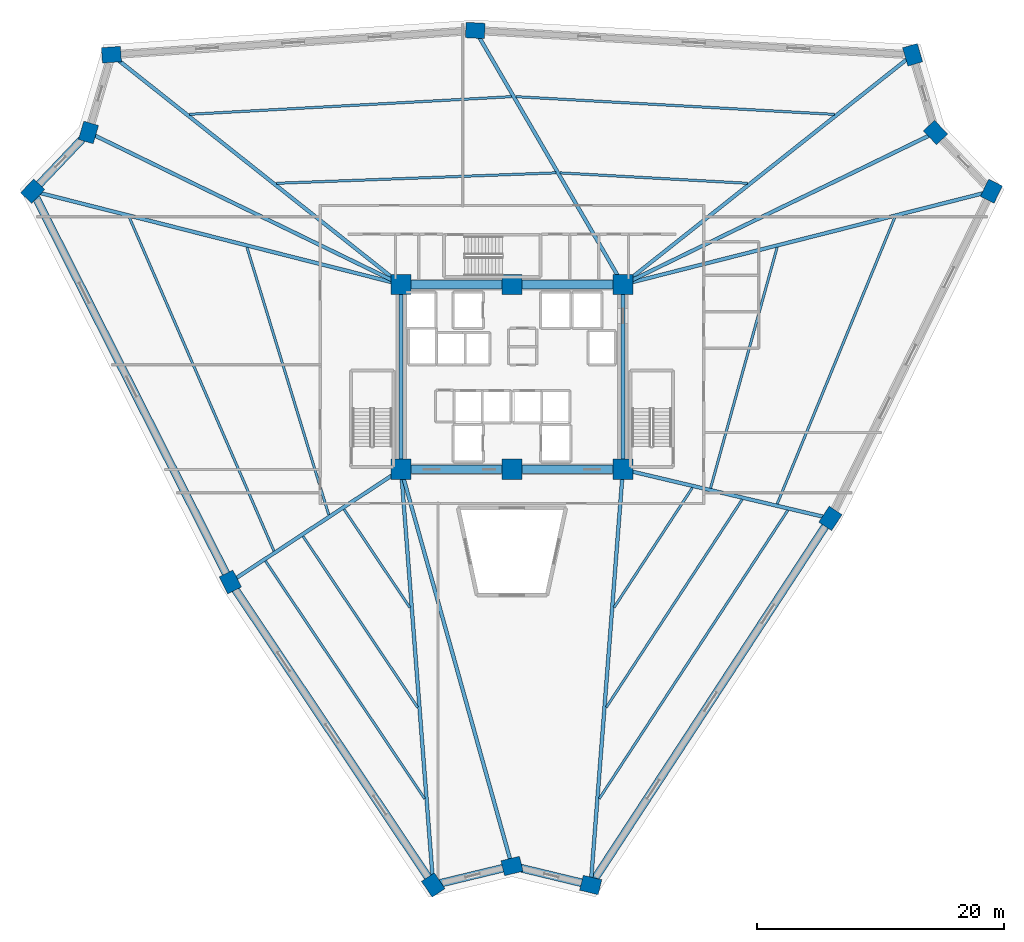
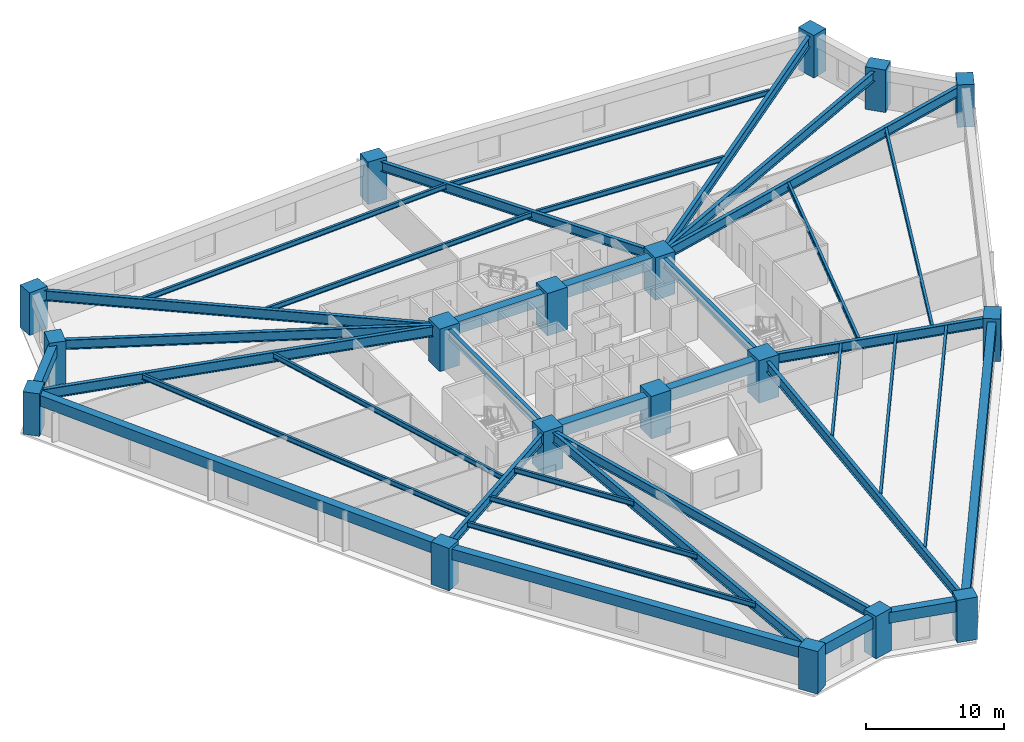
# One storey, part 1 of 8: 38 beams, 18 columns.
"""IFC4 building model written with IfcOpenShell, lengths in metres."""

from ifc_helpers import new_model, si_unit, direction, frame, origin, origin_2d, place, context, subcontext, project, spatial, rectangle, i_section, extrude, source, transform, mapped, material, material_profile, profile_set, type_object, element, save


model = new_model("IFC4")

# Units and contexts
model_context = context("Model", 3, precision=1e-05, world=origin(), true_north=direction((0.0, 1.0)))
body_context = subcontext(model_context, "Body", "Model", "MODEL_VIEW")
ifc_project = project(units=[si_unit("LENGTHUNIT", "METRE"), si_unit("AREAUNIT", "SQUARE_METRE"), si_unit("VOLUMEUNIT", "CUBIC_METRE"), si_unit("PLANEANGLEUNIT", "RADIAN"), si_unit("MASSUNIT", "GRAM", prefix="KILO")], contexts=[model_context])

# Site, building, storey
site_placement = place(None, origin())
site = spatial("IfcSite", under=ifc_project, at=site_placement, CompositionType="ELEMENT")
building_placement = place(site_placement, origin())
building = spatial("IfcBuilding", under=site, at=building_placement, Name="Liaohun Quay Tower", CompositionType="ELEMENT")
storey_placement = place(building_placement, frame((0.0, 0.0, 43.5)))
storey = spatial("IfcBuildingStorey", under=building, at=storey_placement, Name="L11", CompositionType="ELEMENT", Elevation=43.5)

# Columns
ifc_material_1 = material(Name="Concrete C60", Category="concrete")
ifc_material_profile_1 = material_profile(ifc_material_1, rectangle(XDim=1.64990234375, YDim=1.64990234375, at=origin_2d()), Name="RC1650x1650")
ifc_profile_set_1 = profile_set([ifc_material_profile_1], Name="Concrete C60")
column_type_1 = type_object("IfcColumnType", Name="COL-CC-Z1", PredefinedType="COLUMN", material=ifc_profile_set_1)
shared_shape_1 = source(origin(), body_context, "Body", "SweptSolid", [
    extrude(rectangle(XDim=1.64990234375, YDim=1.64990234375, at=origin_2d()), origin(), (0.0, 0.0, 1.0), 3.75),
])
for number, where, z_axis, x_axis, name in (
    (1, (51.0, 46.5, 0.0), (0.0, 0.0, 1.0), (1.0, 0.0, 0.0), "L11 Core Column CC1"),
    (2, (60.0, 46.5, 0.0), (0.0, 0.0, 1.0), (1.0, 0.0, 0.0), "L11 Core Column CC2"),
    (3, (69.0, 46.5, 0.0), (0.0, 0.0, 1.0), (1.0, 0.0, 0.0), "L11 Core Column CC3"),
    (4, (69.0, 61.5, 0.0), (0.0, 0.0, 1.0), (1.0, 0.0, 0.0), "L11 Core Column CC4"),
    (5, (60.0, 61.5, 0.0), (0.0, 0.0, 1.0), (1.0, 0.0, 0.0), "L11 Core Column CC5"),
    (6, (51.0, 61.5, 0.0), (0.0, 0.0, 1.0), (1.0, 0.0, 0.0), "L11 Core Column CC6"),
):
    element("IfcColumn", number, at=place(storey_placement, frame(where, z_axis=z_axis, x_axis=x_axis)), inside=storey, type_object=column_type_1, Name=name, PredefinedType="COLUMN", context=body_context, shape_type="MappedRepresentation", body=[
        mapped(shared_shape_1, transform((0.0, 0.0, 0.0), x_axis=(1.0, 0.0, 0.0), y_axis=(0.0, 1.0, 0.0), z_axis=(0.0, 0.0, 1.0), scale=1.0)),
    ])
ifc_material_profile_2 = material_profile(ifc_material_1, rectangle(XDim=1.550048828125, YDim=1.25, at=origin_2d()), Name="RC1550x1250")
ifc_profile_set_2 = profile_set([ifc_material_profile_2], Name="Concrete C60")
column_type_2 = type_object("IfcColumnType", Name="COL-PIER-Z1", PredefinedType="COLUMN", material=ifc_profile_set_2)
shared_shape_2 = source(origin(), body_context, "Body", "SweptSolid", [
    extrude(rectangle(XDim=1.550048828125, YDim=1.25, at=origin_2d()), origin(), (0.0, 0.0, 1.0), 3.75),
])
for number, where, z_axis, x_axis, name in (
    (7, (53.60693359375, 12.780029296875, 0.0), (0.0, 0.0, 1.0), (-0.556440641177, 0.830887364717, 0.0), "L11 Perimeter Pier PC01"),
    (8, (37.14404296875, 37.364990234375, 0.0), (0.0, 0.0, 1.0), (-0.451189084442, 0.892428378124, 0.0), "L11 Perimeter Pier PC02"),
    (9, (21.111083984375, 69.077880859375, 0.0), (0.0, 0.0, 1.0), (0.68936671806, 0.724412539946, 0.0), "L11 Perimeter Pier PC03"),
    (10, (25.639892578125, 73.837890625, 0.0), (0.0, 0.0, 1.0), (0.282676303383, 0.959215360337, 0.0), "L11 Perimeter Pier PC04"),
    (11, (27.5, 80.14599609375, 0.0), (0.0, 0.0, 1.0), (0.997789886117, 0.066448048599, 0.0), "L11 Perimeter Pier PC05"),
    (12, (57.02197265625, 82.111083984375, 0.0), (0.0, 0.0, 1.0), (-0.998460188734, 0.055472980025, 0.0), "L11 Perimeter Pier PC06"),
    (13, (92.501953125, 80.139892578125, 0.0), (0.0, 0.0, 1.0), (-0.282676303383, 0.959215360337, 0.0), "L11 Perimeter Pier PC07"),
    (14, (94.360107421875, 73.837890625, 0.0), (0.0, 0.0, 1.0), (-0.68936671806, 0.724412539946, 0.0), "L11 Perimeter Pier PC08"),
    (15, (98.89404296875, 69.072998046875, 0.0), (0.0, 0.0, 1.0), (0.44134924494, 0.897335413316, 0.0), "L11 Perimeter Pier PC09"),
    (16, (85.833984375, 42.52392578125, 0.0), (0.0, 0.0, 1.0), (0.547271104292, 0.836955398099, 0.0), "L11 Perimeter Pier PC10"),
    (17, (66.386962890625, 12.781982421875, 0.0), (0.0, 0.0, 1.0), (-0.972043021443, 0.234802820391, 0.0), "L11 Perimeter Pier PC11"),
    (18, (60.0, 14.323974609375, 0.0), (0.0, 0.0, 1.0), (0.972043021443, 0.234802820391, 0.0), "L11 Perimeter Pier PC12"),
):
    element("IfcColumn", number, at=place(storey_placement, frame(where, z_axis=z_axis, x_axis=x_axis)), inside=storey, type_object=column_type_2, Name=name, PredefinedType="COLUMN", context=body_context, shape_type="MappedRepresentation", body=[
        mapped(shared_shape_2, transform((0.0, 0.0, 0.0), x_axis=(1.0, 0.0, 0.0), y_axis=(0.0, 1.0, 0.0), z_axis=(0.0, 0.0, 1.0), scale=1.0)),
    ])

# Beams
ifc_material_profile_3 = material_profile(ifc_material_1, rectangle(XDim=0.699951171875, YDim=1.050048828125, at=origin_2d()), Name="RC700x1050")
ifc_profile_set_3 = profile_set([ifc_material_profile_3], Name="Concrete C60")
beam_type_1 = type_object("IfcBeamType", Name="BM-CPL-1", PredefinedType="LINTEL", material=ifc_profile_set_3)
shared_shape_3 = source(origin(), body_context, "Body", "SweptSolid", [
    extrude(rectangle(XDim=0.699951171875, YDim=1.050048828125, at=origin_2d()), origin(), (0.0, 0.0, 1.0), 9.0),
])
for number, where, z_axis, x_axis, name in (
    (19, (51.0, 46.5, 2.945068359375), (1.0, 0.0, 0.0), (0.0, 1.0, 0.0), "L11 Core Coupling/Ring Beam CC1-CC2"),
    (20, (60.0, 46.5, 2.945068359375), (1.0, 0.0, 0.0), (0.0, 1.0, 0.0), "L11 Core Coupling/Ring Beam CC2-CC3"),
    (21, (69.0, 61.5, 2.945068359375), (-1.0, 0.0, 0.0), (0.0, -1.0, 0.0), "L11 Core Coupling/Ring Beam CC4-CC5"),
    (22, (60.0, 61.5, 2.945068359375), (-1.0, 0.0, 0.0), (0.0, -1.0, 0.0), "L11 Core Coupling/Ring Beam CC5-CC6"),
):
    element("IfcBeam", number, at=place(storey_placement, frame(where, z_axis=z_axis, x_axis=x_axis)), inside=storey, type_object=beam_type_1, Name=name, PredefinedType="LINTEL", context=body_context, shape_type="MappedRepresentation", body=[
        mapped(shared_shape_3, transform((0.0, 0.0, 0.0), x_axis=(1.0, 0.0, 0.0), y_axis=(0.0, 1.0, 0.0), z_axis=(0.0, 0.0, 1.0), scale=1.0)),
    ])
ifc_material_2 = material(Name="Steel Q355D", Category="steel")
ifc_material_profile_4 = material_profile(ifc_material_2, i_section(OverallWidth=0.300048828125, OverallDepth=0.800048828125, WebThickness=0.013916015625, FlangeThickness=0.02587890625, at=origin_2d()), Name="HN800x300x14x26")
ifc_profile_set_4 = profile_set([ifc_material_profile_4], Name="Steel Q355D")
beam_type_2 = type_object("IfcBeamType", Name="BM-RAD-M1", PredefinedType="BEAM", material=ifc_profile_set_4)
shared_shape_4 = source(origin(), body_context, "Body", "SweptSolid", [
    extrude(i_section(OverallWidth=0.300048828125, OverallDepth=0.800048828125, WebThickness=0.013916015625, FlangeThickness=0.02587890625, at=origin_2d()), origin(), (0.0, 0.0, 1.0), 15.0),
])
for number, where, z_axis, x_axis, name in (
    (23, (69.0, 46.5, 3.070068359375), (0.0, 1.0, 0.0), (-1.0, 0.0, 0.0), "L11 Core Coupling/Ring Beam CC3-CC4"),
    (24, (51.0, 61.5, 3.070068359375), (0.0, -1.0, 0.0), (1.0, 0.0, 0.0), "L11 Core Coupling/Ring Beam CC6-CC1"),
):
    element("IfcBeam", number, at=place(storey_placement, frame(where, z_axis=z_axis, x_axis=x_axis)), inside=storey, type_object=beam_type_2, Name=name, PredefinedType="BEAM", context=body_context, shape_type="MappedRepresentation", body=[
        mapped(shared_shape_4, transform((0.0, 0.0, 0.0), x_axis=(1.0, 0.0, 0.0), y_axis=(0.0, 1.0, 0.0), z_axis=(0.0, 0.0, 1.0), scale=1.0)),
    ])
ifc_material_3 = material(Name="Steel Q420D", Category="steel")
ifc_material_profile_5 = material_profile(ifc_material_3, i_section(OverallWidth=0.300048828125, OverallDepth=0.89990234375, WebThickness=0.01611328125, FlangeThickness=0.028076171875, at=origin_2d()), Name="HN900x300x16x28")
ifc_profile_set_5 = profile_set([ifc_material_profile_5], Name="Steel Q420D")
beam_type_3 = type_object("IfcBeamType", Name="BM-RAD-H1", PredefinedType="BEAM", material=ifc_profile_set_5)
shared_shape_5 = source(origin(), body_context, "Body", "SweptSolid", [
    extrude(i_section(OverallWidth=0.300048828125, OverallDepth=0.89990234375, WebThickness=0.01611328125, FlangeThickness=0.028076171875, at=origin_2d()), origin(), (0.0, 0.0, 1.0), 33.820556640625),
])
beam_1_placement = place(storey_placement, frame((51.0, 46.5, 3.02001953125), z_axis=(0.07708124974, -0.997024814605, 0.0), x_axis=(0.997024814605, 0.07708124974, 0.0)))
element("IfcBeam", 25, at=beam_1_placement, inside=storey, type_object=beam_type_3, Name="L11 Radial Primary Girder CC1-PC01", PredefinedType="BEAM", context=body_context, shape_type="MappedRepresentation", body=[
    mapped(shared_shape_5, transform((0.0, 0.0, 0.0), x_axis=(1.0, 0.0, 0.0), y_axis=(0.0, 1.0, 0.0), z_axis=(0.0, 0.0, 1.0), scale=1.0)),
])
ifc_material_profile_6 = material_profile(ifc_material_2, i_section(OverallWidth=0.300048828125, OverallDepth=0.85009765625, WebThickness=0.01611328125, FlangeThickness=0.028076171875, at=origin_2d()), Name="HN850x300x16x28")
ifc_profile_set_6 = profile_set([ifc_material_profile_6], Name="Steel Q355D")
beam_type_4 = type_object("IfcBeamType", Name="BM-RAD-H2", PredefinedType="BEAM", material=ifc_profile_set_6)
shared_shape_6 = source(origin(), body_context, "Body", "SweptSolid", [
    extrude(i_section(OverallWidth=0.300048828125, OverallDepth=0.85009765625, WebThickness=0.01611328125, FlangeThickness=0.028076171875, at=origin_2d()), origin(), (0.0, 0.0, 1.0), 16.59619140625),
])
beam_2_placement = place(storey_placement, frame((51.0, 46.5, 3.044921875), z_axis=(-0.83488415152, -0.550425702108, 0.0), x_axis=(0.550425702108, -0.83488415152, 0.0)))
element("IfcBeam", 26, at=beam_2_placement, inside=storey, type_object=beam_type_4, Name="L11 Radial Primary Girder CC1-PC02", PredefinedType="BEAM", context=body_context, shape_type="MappedRepresentation", body=[
    mapped(shared_shape_6, transform((0.0, 0.0, 0.0), x_axis=(1.0, 0.0, 0.0), y_axis=(0.0, 1.0, 0.0), z_axis=(0.0, 0.0, 1.0), scale=1.0)),
])
shared_shape_7 = source(origin(), body_context, "Body", "SweptSolid", [
    extrude(i_section(OverallWidth=0.300048828125, OverallDepth=0.89990234375, WebThickness=0.01611328125, FlangeThickness=0.028076171875, at=origin_2d()), origin(), (0.0, 0.0, 1.0), 30.83447265625),
])
beam_3_placement = place(storey_placement, frame((51.0, 61.5, 3.02001953125), z_axis=(-0.969330926687, 0.245759139338, 0.0), x_axis=(-0.245759139338, -0.969330926687, 0.0)))
element("IfcBeam", 27, at=beam_3_placement, inside=storey, type_object=beam_type_3, Name="L11 Radial Primary Girder CC6-PC03", PredefinedType="BEAM", context=body_context, shape_type="MappedRepresentation", body=[
    mapped(shared_shape_7, transform((0.0, 0.0, 0.0), x_axis=(1.0, 0.0, 0.0), y_axis=(0.0, 1.0, 0.0), z_axis=(0.0, 0.0, 1.0), scale=1.0)),
])
shared_shape_8 = source(origin(), body_context, "Body", "SweptSolid", [
    extrude(i_section(OverallWidth=0.300048828125, OverallDepth=0.85009765625, WebThickness=0.01611328125, FlangeThickness=0.028076171875, at=origin_2d()), origin(), (0.0, 0.0, 1.0), 28.2021484375),
])
for number, where, z_axis, x_axis, name in (
    (28, (51.0, 61.5, 3.044921875), (-0.899227541375, 0.437481232548, 0.0), (-0.437481232548, -0.899227541375, 0.0), "L11 Radial Primary Girder CC6-PC04"),
    (29, (69.0, 61.5, 3.044921875), (0.899227541375, 0.437481232548, 0.0), (-0.437481232548, 0.899227541375, 0.0), "L11 Radial Primary Girder CC4-PC08"),
):
    element("IfcBeam", number, at=place(storey_placement, frame(where, z_axis=z_axis, x_axis=x_axis)), inside=storey, type_object=beam_type_4, Name=name, PredefinedType="BEAM", context=body_context, shape_type="MappedRepresentation", body=[
        mapped(shared_shape_8, transform((0.0, 0.0, 0.0), x_axis=(1.0, 0.0, 0.0), y_axis=(0.0, 1.0, 0.0), z_axis=(0.0, 0.0, 1.0), scale=1.0)),
    ])
shared_shape_9 = source(origin(), body_context, "Body", "SweptSolid", [
    extrude(i_section(OverallWidth=0.300048828125, OverallDepth=0.89990234375, WebThickness=0.01611328125, FlangeThickness=0.028076171875, at=origin_2d()), origin(), (0.0, 0.0, 1.0), 29.998779296875),
])
beam_4_placement = place(storey_placement, frame((51.0, 61.5, 3.02001953125), z_axis=(-0.783366770609, 0.621559733819, 0.0), x_axis=(-0.621559733819, -0.783366770609, 0.0)))
element("IfcBeam", 30, at=beam_4_placement, inside=storey, type_object=beam_type_3, Name="L11 Radial Primary Girder CC6-PC05", PredefinedType="BEAM", context=body_context, shape_type="MappedRepresentation", body=[
    mapped(shared_shape_9, transform((0.0, 0.0, 0.0), x_axis=(1.0, 0.0, 0.0), y_axis=(0.0, 1.0, 0.0), z_axis=(0.0, 0.0, 1.0), scale=1.0)),
])
shared_shape_10 = source(origin(), body_context, "Body", "SweptSolid", [
    extrude(i_section(OverallWidth=0.300048828125, OverallDepth=0.85009765625, WebThickness=0.01611328125, FlangeThickness=0.028076171875, at=origin_2d()), origin(), (0.0, 0.0, 1.0), 23.8388671875),
])
beam_5_placement = place(storey_placement, frame((69.0, 61.5, 3.044921875), z_axis=(-0.502458645143, 0.864601243303, 0.0), x_axis=(-0.864601243303, -0.502458645143, 0.0)))
element("IfcBeam", 31, at=beam_5_placement, inside=storey, type_object=beam_type_4, Name="L11 Radial Primary Girder CC4-PC06", PredefinedType="BEAM", context=body_context, shape_type="MappedRepresentation", body=[
    mapped(shared_shape_10, transform((0.0, 0.0, 0.0), x_axis=(1.0, 0.0, 0.0), y_axis=(0.0, 1.0, 0.0), z_axis=(0.0, 0.0, 1.0), scale=1.0)),
])
shared_shape_11 = source(origin(), body_context, "Body", "SweptSolid", [
    extrude(i_section(OverallWidth=0.300048828125, OverallDepth=0.89990234375, WebThickness=0.01611328125, FlangeThickness=0.028076171875, at=origin_2d()), origin(), (0.0, 0.0, 1.0), 29.996337890625),
])
beam_6_placement = place(storey_placement, frame((69.0, 61.5, 3.02001953125), z_axis=(0.783490983692, 0.621403152932, 0.0), x_axis=(-0.621403152932, 0.783490983692, 0.0)))
element("IfcBeam", 32, at=beam_6_placement, inside=storey, type_object=beam_type_3, Name="L11 Radial Primary Girder CC4-PC07", PredefinedType="BEAM", context=body_context, shape_type="MappedRepresentation", body=[
    mapped(shared_shape_11, transform((0.0, 0.0, 0.0), x_axis=(1.0, 0.0, 0.0), y_axis=(0.0, 1.0, 0.0), z_axis=(0.0, 0.0, 1.0), scale=1.0)),
])
shared_shape_12 = source(origin(), body_context, "Body", "SweptSolid", [
    extrude(i_section(OverallWidth=0.300048828125, OverallDepth=0.89990234375, WebThickness=0.01611328125, FlangeThickness=0.028076171875, at=origin_2d()), origin(), (0.0, 0.0, 1.0), 30.83837890625),
])
beam_7_placement = place(storey_placement, frame((69.0, 61.5, 3.02001953125), z_axis=(0.969378668663, 0.245570757095, 0.0), x_axis=(-0.245570757095, 0.969378668663, 0.0)))
element("IfcBeam", 33, at=beam_7_placement, inside=storey, type_object=beam_type_3, Name="L11 Radial Primary Girder CC4-PC09", PredefinedType="BEAM", context=body_context, shape_type="MappedRepresentation", body=[
    mapped(shared_shape_12, transform((0.0, 0.0, 0.0), x_axis=(1.0, 0.0, 0.0), y_axis=(0.0, 1.0, 0.0), z_axis=(0.0, 0.0, 1.0), scale=1.0)),
])
shared_shape_13 = source(origin(), body_context, "Body", "SweptSolid", [
    extrude(i_section(OverallWidth=0.300048828125, OverallDepth=0.85009765625, WebThickness=0.01611328125, FlangeThickness=0.028076171875, at=origin_2d()), origin(), (0.0, 0.0, 1.0), 17.297119140625),
])
beam_8_placement = place(storey_placement, frame((69.0, 46.5, 3.044921875), z_axis=(0.973221711386, -0.229868441693, 0.0), x_axis=(0.229868441693, 0.973221711386, 0.0)))
element("IfcBeam", 34, at=beam_8_placement, inside=storey, type_object=beam_type_4, Name="L11 Radial Primary Girder CC3-PC10", PredefinedType="BEAM", context=body_context, shape_type="MappedRepresentation", body=[
    mapped(shared_shape_13, transform((0.0, 0.0, 0.0), x_axis=(1.0, 0.0, 0.0), y_axis=(0.0, 1.0, 0.0), z_axis=(0.0, 0.0, 1.0), scale=1.0)),
])
shared_shape_14 = source(origin(), body_context, "Body", "SweptSolid", [
    extrude(i_section(OverallWidth=0.300048828125, OverallDepth=0.89990234375, WebThickness=0.01611328125, FlangeThickness=0.028076171875, at=origin_2d()), origin(), (0.0, 0.0, 1.0), 33.819091796875),
])
beam_9_placement = place(storey_placement, frame((69.0, 46.5, 3.02001953125), z_axis=(-0.077265089802, -0.997010584647, 0.0), x_axis=(0.997010584647, -0.077265089802, 0.0)))
element("IfcBeam", 35, at=beam_9_placement, inside=storey, type_object=beam_type_3, Name="L11 Radial Primary Girder CC3-PC11", PredefinedType="BEAM", context=body_context, shape_type="MappedRepresentation", body=[
    mapped(shared_shape_14, transform((0.0, 0.0, 0.0), x_axis=(1.0, 0.0, 0.0), y_axis=(0.0, 1.0, 0.0), z_axis=(0.0, 0.0, 1.0), scale=1.0)),
])
shared_shape_15 = source(origin(), body_context, "Body", "SweptSolid", [
    extrude(i_section(OverallWidth=0.300048828125, OverallDepth=0.85009765625, WebThickness=0.01611328125, FlangeThickness=0.028076171875, at=origin_2d()), origin(), (0.0, 0.0, 1.0), 33.4111328125),
])
beam_10_placement = place(storey_placement, frame((51.0, 46.5, 3.044921875), z_axis=(0.269372158618, -0.963036157245, 0.0), x_axis=(0.963036157245, 0.269372158618, 0.0)))
element("IfcBeam", 36, at=beam_10_placement, inside=storey, type_object=beam_type_4, Name="L11 Radial Primary Girder CC1-PC12", PredefinedType="BEAM", context=body_context, shape_type="MappedRepresentation", body=[
    mapped(shared_shape_15, transform((0.0, 0.0, 0.0), x_axis=(1.0, 0.0, 0.0), y_axis=(0.0, 1.0, 0.0), z_axis=(0.0, 0.0, 1.0), scale=1.0)),
])
ifc_material_profile_7 = material_profile(ifc_material_2, i_section(OverallWidth=0.199951171875, OverallDepth=0.449951171875, WebThickness=0.009033203125, FlangeThickness=0.013916015625, at=origin_2d()), Name="HN450x200x9x14")
ifc_profile_set_7 = profile_set([ifc_material_profile_7], Name="Steel Q355D")
beam_type_5 = type_object("IfcBeamType", Name="BM-SEC-J1", PredefinedType="JOIST", material=ifc_profile_set_7)
shared_shape_16 = source(origin(), body_context, "Body", "SweptSolid", [
    extrude(i_section(OverallWidth=0.199951171875, OverallDepth=0.449951171875, WebThickness=0.009033203125, FlangeThickness=0.013916015625, at=origin_2d()), origin(), (0.0, 0.0, 1.0), 9.60400390625),
])
beam_11_placement = place(storey_placement, frame((51.716064453125, 35.2890625, 3.2451171875), z_axis=(-0.556429546569, 0.830894794607, 0.0), x_axis=(-0.830894794607, -0.556429546569, 0.0)))
element("IfcBeam", 37, at=beam_11_placement, inside=storey, type_object=beam_type_5, Name="L11 Wing Secondary Floor Joist SJ-01", PredefinedType="JOIST", context=body_context, shape_type="MappedRepresentation", body=[
    mapped(shared_shape_16, transform((0.0, 0.0, 0.0), x_axis=(1.0, 0.0, 0.0), y_axis=(0.0, 1.0, 0.0), z_axis=(0.0, 0.0, 1.0), scale=1.0)),
])
shared_shape_17 = source(origin(), body_context, "Body", "SweptSolid", [
    extrude(i_section(OverallWidth=0.199951171875, OverallDepth=0.449951171875, WebThickness=0.009033203125, FlangeThickness=0.013916015625, at=origin_2d()), origin(), (0.0, 0.0, 1.0), 16.70556640625),
])
beam_12_placement = place(storey_placement, frame((52.342041015625, 27.196044921875, 3.2451171875), z_axis=(-0.556398803966, 0.830915381338, 0.0), x_axis=(-0.830915381338, -0.556398803966, 0.0)))
element("IfcBeam", 38, at=beam_12_placement, inside=storey, type_object=beam_type_5, Name="L11 Wing Secondary Floor Joist SJ-02", PredefinedType="JOIST", context=body_context, shape_type="MappedRepresentation", body=[
    mapped(shared_shape_17, transform((0.0, 0.0, 0.0), x_axis=(1.0, 0.0, 0.0), y_axis=(0.0, 1.0, 0.0), z_axis=(0.0, 0.0, 1.0), scale=1.0)),
])
shared_shape_18 = source(origin(), body_context, "Body", "SweptSolid", [
    extrude(i_section(OverallWidth=0.199951171875, OverallDepth=0.449951171875, WebThickness=0.009033203125, FlangeThickness=0.013916015625, at=origin_2d()), origin(), (0.0, 0.0, 1.0), 23.21435546875),
])
beam_13_placement = place(storey_placement, frame((52.916015625, 19.778076171875, 3.2451171875), z_axis=(-0.556422141739, 0.83089975339, 0.0), x_axis=(-0.83089975339, -0.556422141739, 0.0)))
element("IfcBeam", 39, at=beam_13_placement, inside=storey, type_object=beam_type_5, Name="L11 Wing Secondary Floor Joist SJ-03", PredefinedType="JOIST", context=body_context, shape_type="MappedRepresentation", body=[
    mapped(shared_shape_18, transform((0.0, 0.0, 0.0), x_axis=(1.0, 0.0, 0.0), y_axis=(0.0, 1.0, 0.0), z_axis=(0.0, 0.0, 1.0), scale=1.0)),
])
shared_shape_19 = source(origin(), body_context, "Body", "SweptSolid", [
    extrude(i_section(OverallWidth=0.199951171875, OverallDepth=0.449951171875, WebThickness=0.009033203125, FlangeThickness=0.013916015625, at=origin_2d()), origin(), (0.0, 0.0, 1.0), 22.694091796875),
])
beam_14_placement = place(storey_placement, frame((45.135009765625, 42.81298828125, 3.2451171875), z_axis=(-0.292453302419, 0.956279805237, 0.0), x_axis=(-0.956279805237, -0.292453302419, 0.0)))
element("IfcBeam", 40, at=beam_14_placement, inside=storey, type_object=beam_type_5, Name="L11 Wing Secondary Floor Joist SJ-04", PredefinedType="JOIST", context=body_context, shape_type="MappedRepresentation", body=[
    mapped(shared_shape_19, transform((0.0, 0.0, 0.0), x_axis=(1.0, 0.0, 0.0), y_axis=(0.0, 1.0, 0.0), z_axis=(0.0, 0.0, 1.0), scale=1.0)),
])
shared_shape_20 = source(origin(), body_context, "Body", "SweptSolid", [
    extrude(i_section(OverallWidth=0.199951171875, OverallDepth=0.449951171875, WebThickness=0.009033203125, FlangeThickness=0.013916015625, at=origin_2d()), origin(), (0.0, 0.0, 1.0), 29.48681640625),
])
beam_15_placement = place(storey_placement, frame((40.68603515625, 39.8798828125, 3.2451171875), z_axis=(-0.397737088561, 0.917499432361, 0.0), x_axis=(-0.917499432361, -0.397737088561, 0.0)))
element("IfcBeam", 41, at=beam_15_placement, inside=storey, type_object=beam_type_5, Name="L11 Wing Secondary Floor Joist SJ-05", PredefinedType="JOIST", context=body_context, shape_type="MappedRepresentation", body=[
    mapped(shared_shape_20, transform((0.0, 0.0, 0.0), x_axis=(1.0, 0.0, 0.0), y_axis=(0.0, 1.0, 0.0), z_axis=(0.0, 0.0, 1.0), scale=1.0)),
])
shared_shape_21 = source(origin(), body_context, "Body", "SweptSolid", [
    extrude(i_section(OverallWidth=0.199951171875, OverallDepth=0.449951171875, WebThickness=0.009033203125, FlangeThickness=0.013916015625, at=origin_2d()), origin(), (0.0, 0.0, 1.0), 22.68603515625),
])
beam_16_placement = place(storey_placement, frame((40.889892578125, 69.712890625, 3.2451171875), z_axis=(0.99929928212, 0.037429196541, 0.0), x_axis=(-0.037429196541, 0.99929928212, 0.0)))
element("IfcBeam", 42, at=beam_16_placement, inside=storey, type_object=beam_type_5, Name="L11 Wing Secondary Floor Joist SJ-06", PredefinedType="JOIST", context=body_context, shape_type="MappedRepresentation", body=[
    mapped(shared_shape_21, transform((0.0, 0.0, 0.0), x_axis=(1.0, 0.0, 0.0), y_axis=(0.0, 1.0, 0.0), z_axis=(0.0, 0.0, 1.0), scale=1.0)),
])
shared_shape_22 = source(origin(), body_context, "Body", "SweptSolid", [
    extrude(i_section(OverallWidth=0.199951171875, OverallDepth=0.449951171875, WebThickness=0.009033203125, FlangeThickness=0.013916015625, at=origin_2d()), origin(), (0.0, 0.0, 1.0), 26.17138671875),
])
beam_17_placement = place(storey_placement, frame((33.8359375, 75.31005859375, 3.2451171875), z_axis=(0.998500134085, 0.054749266954, 0.0), x_axis=(-0.054749266954, 0.998500134085, 0.0)))
element("IfcBeam", 43, at=beam_17_placement, inside=storey, type_object=beam_type_5, Name="L11 Wing Secondary Floor Joist SJ-07", PredefinedType="JOIST", context=body_context, shape_type="MappedRepresentation", body=[
    mapped(shared_shape_22, transform((0.0, 0.0, 0.0), x_axis=(1.0, 0.0, 0.0), y_axis=(0.0, 1.0, 0.0), z_axis=(0.0, 0.0, 1.0), scale=1.0)),
])
shared_shape_23 = source(origin(), body_context, "Body", "SweptSolid", [
    extrude(i_section(OverallWidth=0.199951171875, OverallDepth=0.449951171875, WebThickness=0.009033203125, FlangeThickness=0.013916015625, at=origin_2d()), origin(), (0.0, 0.0, 1.0), 15.2294921875),
])
beam_18_placement = place(storey_placement, frame((63.908935546875, 70.55908203125, 3.2451171875), z_axis=(0.998459662572, -0.05548244962, 0.0), x_axis=(0.05548244962, 0.998459662572, 0.0)))
element("IfcBeam", 44, at=beam_18_placement, inside=storey, type_object=beam_type_5, Name="L11 Wing Secondary Floor Joist SJ-08", PredefinedType="JOIST", context=body_context, shape_type="MappedRepresentation", body=[
    mapped(shared_shape_23, transform((0.0, 0.0, 0.0), x_axis=(1.0, 0.0, 0.0), y_axis=(0.0, 1.0, 0.0), z_axis=(0.0, 0.0, 1.0), scale=1.0)),
])
shared_shape_24 = source(origin(), body_context, "Body", "SweptSolid", [
    extrude(i_section(OverallWidth=0.199951171875, OverallDepth=0.449951171875, WebThickness=0.009033203125, FlangeThickness=0.013916015625, at=origin_2d()), origin(), (0.0, 0.0, 1.0), 25.889892578125),
])
beam_19_placement = place(storey_placement, frame((60.31591796875, 76.741943359375, 3.2451171875), z_axis=(0.998460527292, -0.055466885982, 0.0), x_axis=(0.055466885982, 0.998460527292, 0.0)))
element("IfcBeam", 45, at=beam_19_placement, inside=storey, type_object=beam_type_5, Name="L11 Wing Secondary Floor Joist SJ-09", PredefinedType="JOIST", context=body_context, shape_type="MappedRepresentation", body=[
    mapped(shared_shape_24, transform((0.0, 0.0, 0.0), x_axis=(1.0, 0.0, 0.0), y_axis=(0.0, 1.0, 0.0), z_axis=(0.0, 0.0, 1.0), scale=1.0)),
])
shared_shape_25 = source(origin(), body_context, "Body", "SweptSolid", [
    extrude(i_section(OverallWidth=0.199951171875, OverallDepth=0.449951171875, WebThickness=0.009033203125, FlangeThickness=0.013916015625, at=origin_2d()), origin(), (0.0, 0.0, 1.0), 20.271240234375),
])
beam_20_placement = place(storey_placement, frame((81.510009765625, 64.513916015625, 3.2451171875), z_axis=(-0.266382050556, -0.963867523647, 0.0), x_axis=(0.963867523647, -0.266382050556, 0.0)))
element("IfcBeam", 46, at=beam_20_placement, inside=storey, type_object=beam_type_5, Name="L11 Wing Secondary Floor Joist SJ-10", PredefinedType="JOIST", context=body_context, shape_type="MappedRepresentation", body=[
    mapped(shared_shape_25, transform((0.0, 0.0, 0.0), x_axis=(1.0, 0.0, 0.0), y_axis=(0.0, 1.0, 0.0), z_axis=(0.0, 0.0, 1.0), scale=1.0)),
])
shared_shape_26 = source(origin(), body_context, "Body", "SweptSolid", [
    extrude(i_section(OverallWidth=0.199951171875, OverallDepth=0.449951171875, WebThickness=0.009033203125, FlangeThickness=0.013916015625, at=origin_2d()), origin(), (0.0, 0.0, 1.0), 25.11376953125),
])
beam_21_placement = place(storey_placement, frame((91.051025390625, 66.930908203125, 3.2451171875), z_axis=(-0.379715940496, -0.925103131836, 0.0), x_axis=(0.925103131836, -0.379715940496, 0.0)))
element("IfcBeam", 47, at=beam_21_placement, inside=storey, type_object=beam_type_5, Name="L11 Wing Secondary Floor Joist SJ-11", PredefinedType="JOIST", context=body_context, shape_type="MappedRepresentation", body=[
    mapped(shared_shape_26, transform((0.0, 0.0, 0.0), x_axis=(1.0, 0.0, 0.0), y_axis=(0.0, 1.0, 0.0), z_axis=(0.0, 0.0, 1.0), scale=1.0)),
])
shared_shape_27 = source(origin(), body_context, "Body", "SweptSolid", [
    extrude(i_section(OverallWidth=0.199951171875, OverallDepth=0.449951171875, WebThickness=0.009033203125, FlangeThickness=0.013916015625, at=origin_2d()), origin(), (0.0, 0.0, 1.0), 11.610595703125),
])
beam_22_placement = place(storey_placement, frame((74.635986328125, 45.014892578125, 3.2451171875), z_axis=(-0.547253895262, -0.836966650542, 0.0), x_axis=(0.836966650542, -0.547253895262, 0.0)))
element("IfcBeam", 48, at=beam_22_placement, inside=storey, type_object=beam_type_5, Name="L11 Wing Secondary Floor Joist SJ-12", PredefinedType="JOIST", context=body_context, shape_type="MappedRepresentation", body=[
    mapped(shared_shape_27, transform((0.0, 0.0, 0.0), x_axis=(1.0, 0.0, 0.0), y_axis=(0.0, 1.0, 0.0), z_axis=(0.0, 0.0, 1.0), scale=1.0)),
])
shared_shape_28 = source(origin(), body_context, "Body", "SweptSolid", [
    extrude(i_section(OverallWidth=0.199951171875, OverallDepth=0.449951171875, WebThickness=0.009033203125, FlangeThickness=0.013916015625, at=origin_2d()), origin(), (0.0, 0.0, 1.0), 20.138427734375),
])
beam_23_placement = place(storey_placement, frame((78.676025390625, 44.06005859375, 3.2451171875), z_axis=(-0.547264388094, -0.83695978967, 0.0), x_axis=(0.83695978967, -0.547264388094, 0.0)))
element("IfcBeam", 49, at=beam_23_placement, inside=storey, type_object=beam_type_5, Name="L11 Wing Secondary Floor Joist SJ-13", PredefinedType="JOIST", context=body_context, shape_type="MappedRepresentation", body=[
    mapped(shared_shape_28, transform((0.0, 0.0, 0.0), x_axis=(1.0, 0.0, 0.0), y_axis=(0.0, 1.0, 0.0), z_axis=(0.0, 0.0, 1.0), scale=1.0)),
])
shared_shape_29 = source(origin(), body_context, "Body", "SweptSolid", [
    extrude(i_section(OverallWidth=0.199951171875, OverallDepth=0.449951171875, WebThickness=0.009033203125, FlangeThickness=0.013916015625, at=origin_2d()), origin(), (0.0, 0.0, 1.0), 27.95703125),
])
beam_24_placement = place(storey_placement, frame((82.3798828125, 43.18603515625, 3.2451171875), z_axis=(-0.547262068348, -0.836961306482, 0.0), x_axis=(0.836961306482, -0.547262068348, 0.0)))
element("IfcBeam", 50, at=beam_24_placement, inside=storey, type_object=beam_type_5, Name="L11 Wing Secondary Floor Joist SJ-14", PredefinedType="JOIST", context=body_context, shape_type="MappedRepresentation", body=[
    mapped(shared_shape_29, transform((0.0, 0.0, 0.0), x_axis=(1.0, 0.0, 0.0), y_axis=(0.0, 1.0, 0.0), z_axis=(0.0, 0.0, 1.0), scale=1.0)),
])
ifc_material_4 = material(Name="Precast concrete C55", Category="concrete")
ifc_material_profile_8 = material_profile(ifc_material_4, rectangle(XDim=0.64990234375, YDim=0.949951171875, at=origin_2d()), Name="RC650x950")
ifc_profile_set_8 = profile_set([ifc_material_profile_8], Name="Precast concrete C55")
beam_type_6 = type_object("IfcBeamType", Name="BM-SPD-Z1", PredefinedType="SPANDREL", material=ifc_profile_set_8)
shared_shape_30 = source(origin(), body_context, "Body", "SweptSolid", [
    extrude(rectangle(XDim=0.64990234375, YDim=0.949951171875, at=origin_2d()), origin(), (0.0, 0.0, 1.0), 29.587890625),
])
beam_25_placement = place(storey_placement, frame((53.60693359375, 12.780029296875, 2.9951171875), z_axis=(-0.556405155751, 0.830911128012, 0.0), x_axis=(-0.830911128012, -0.556405155751, 0.0)))
element("IfcBeam", 51, at=beam_25_placement, inside=storey, type_object=beam_type_6, Name="L11 Precast Spandrel Beam PC01-PC02", PredefinedType="SPANDREL", context=body_context, shape_type="MappedRepresentation", body=[
    mapped(shared_shape_30, transform((0.0, 0.0, 0.0), x_axis=(1.0, 0.0, 0.0), y_axis=(0.0, 1.0, 0.0), z_axis=(0.0, 0.0, 1.0), scale=1.0)),
])
shared_shape_31 = source(origin(), body_context, "Body", "SweptSolid", [
    extrude(rectangle(XDim=0.64990234375, YDim=0.949951171875, at=origin_2d()), origin(), (0.0, 0.0, 1.0), 35.535400390625),
])
for number, where, z_axis, x_axis, name in (
    (52, (37.14404296875, 37.364990234375, 2.9951171875), (-0.451182994256, 0.892431457141, 0.0), (-0.892431457141, -0.451182994256, 0.0), "L11 Precast Spandrel Beam PC02-PC03"),
    (53, (85.833984375, 42.52392578125, 2.9951171875), (-0.547256582154, -0.836964893701, 0.0), (0.836964893701, -0.547256582154, 0.0), "L11 Precast Spandrel Beam PC10-PC11"),
):
    element("IfcBeam", number, at=place(storey_placement, frame(where, z_axis=z_axis, x_axis=x_axis)), inside=storey, type_object=beam_type_6, Name=name, PredefinedType="SPANDREL", context=body_context, shape_type="MappedRepresentation", body=[
        mapped(shared_shape_31, transform((0.0, 0.0, 0.0), x_axis=(1.0, 0.0, 0.0), y_axis=(0.0, 1.0, 0.0), z_axis=(0.0, 0.0, 1.0), scale=1.0)),
    ])
shared_shape_32 = source(origin(), body_context, "Body", "SweptSolid", [
    extrude(rectangle(XDim=0.64990234375, YDim=0.949951171875, at=origin_2d()), origin(), (0.0, 0.0, 1.0), 6.5703125),
])
beam_26_placement = place(storey_placement, frame((21.111083984375, 69.077880859375, 2.9951171875), z_axis=(0.689293220121, 0.724482475078, 0.0), x_axis=(-0.724482475078, 0.689293220121, 0.0)))
element("IfcBeam", 54, at=beam_26_placement, inside=storey, type_object=beam_type_6, Name="L11 Precast Spandrel Beam PC03-PC04", PredefinedType="SPANDREL", context=body_context, shape_type="MappedRepresentation", body=[
    mapped(shared_shape_32, transform((0.0, 0.0, 0.0), x_axis=(1.0, 0.0, 0.0), y_axis=(0.0, 1.0, 0.0), z_axis=(0.0, 0.0, 1.0), scale=1.0)),
])
shared_shape_33 = source(origin(), body_context, "Body", "SweptSolid", [
    extrude(rectangle(XDim=0.64990234375, YDim=0.949951171875, at=origin_2d()), origin(), (0.0, 0.0, 1.0), 6.570556640625),
])
beam_27_placement = place(storey_placement, frame((66.386962890625, 12.781982421875, 2.9951171875), z_axis=(-0.972071394357, 0.23468533033, 0.0), x_axis=(-0.23468533033, -0.972071394357, 0.0)))
element("IfcBeam", 55, at=beam_27_placement, inside=storey, type_object=beam_type_6, Name="L11 Precast Spandrel Beam PC11-PC12", PredefinedType="SPANDREL", context=body_context, shape_type="MappedRepresentation", body=[
    mapped(shared_shape_33, transform((0.0, 0.0, 0.0), x_axis=(1.0, 0.0, 0.0), y_axis=(0.0, 1.0, 0.0), z_axis=(0.0, 0.0, 1.0), scale=1.0)),
])
shared_shape_34 = source(origin(), body_context, "Body", "SweptSolid", [
    extrude(rectangle(XDim=0.64990234375, YDim=0.949951171875, at=origin_2d()), origin(), (0.0, 0.0, 1.0), 6.576904296875),
])
beam_28_placement = place(storey_placement, frame((60.0, 14.323974609375, 2.9951171875), z_axis=(-0.972054757289, -0.2347542307, 0.0), x_axis=(0.2347542307, -0.972054757289, 0.0)))
element("IfcBeam", 56, at=beam_28_placement, inside=storey, type_object=beam_type_6, Name="L11 Precast Spandrel Beam PC12-PC01", PredefinedType="SPANDREL", context=body_context, shape_type="MappedRepresentation", body=[
    mapped(shared_shape_34, transform((0.0, 0.0, 0.0), x_axis=(1.0, 0.0, 0.0), y_axis=(0.0, 1.0, 0.0), z_axis=(0.0, 0.0, 1.0), scale=1.0)),
])

save(model, "model.ifc")
